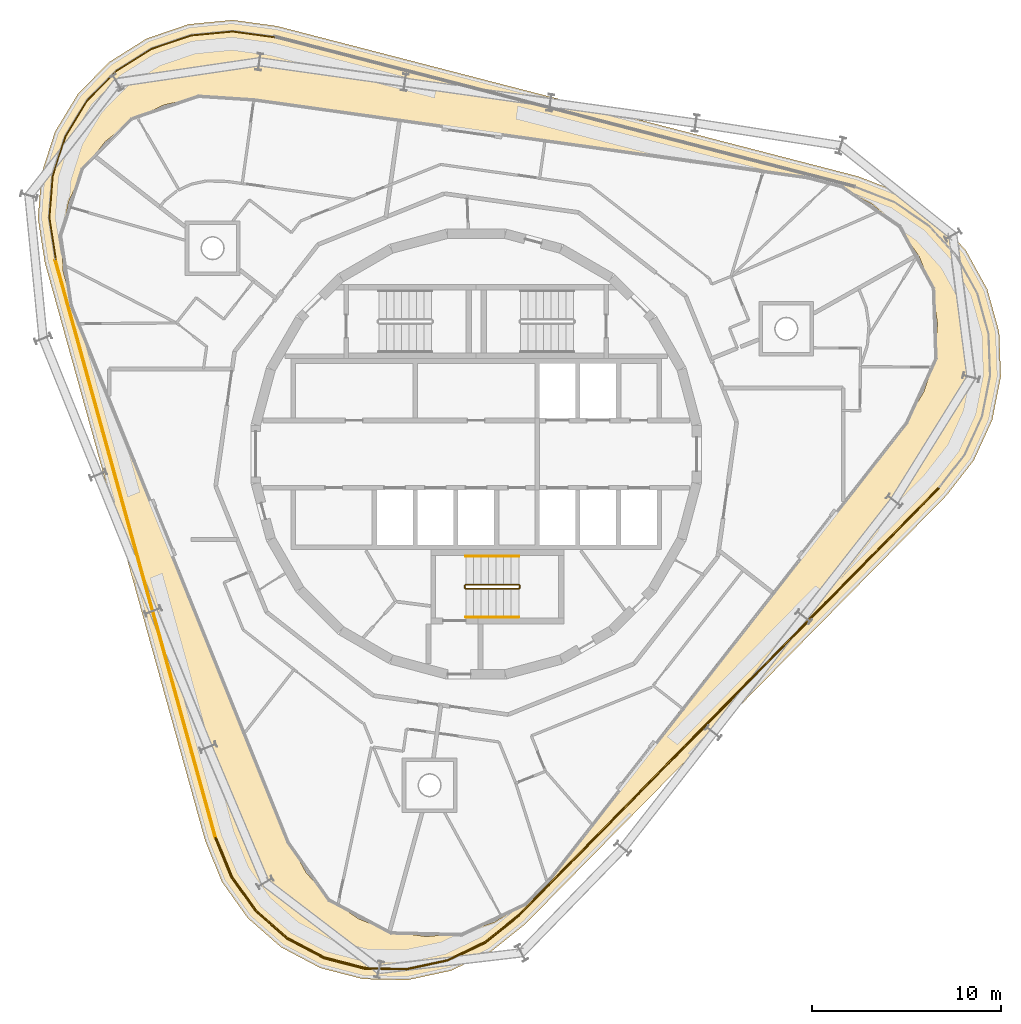
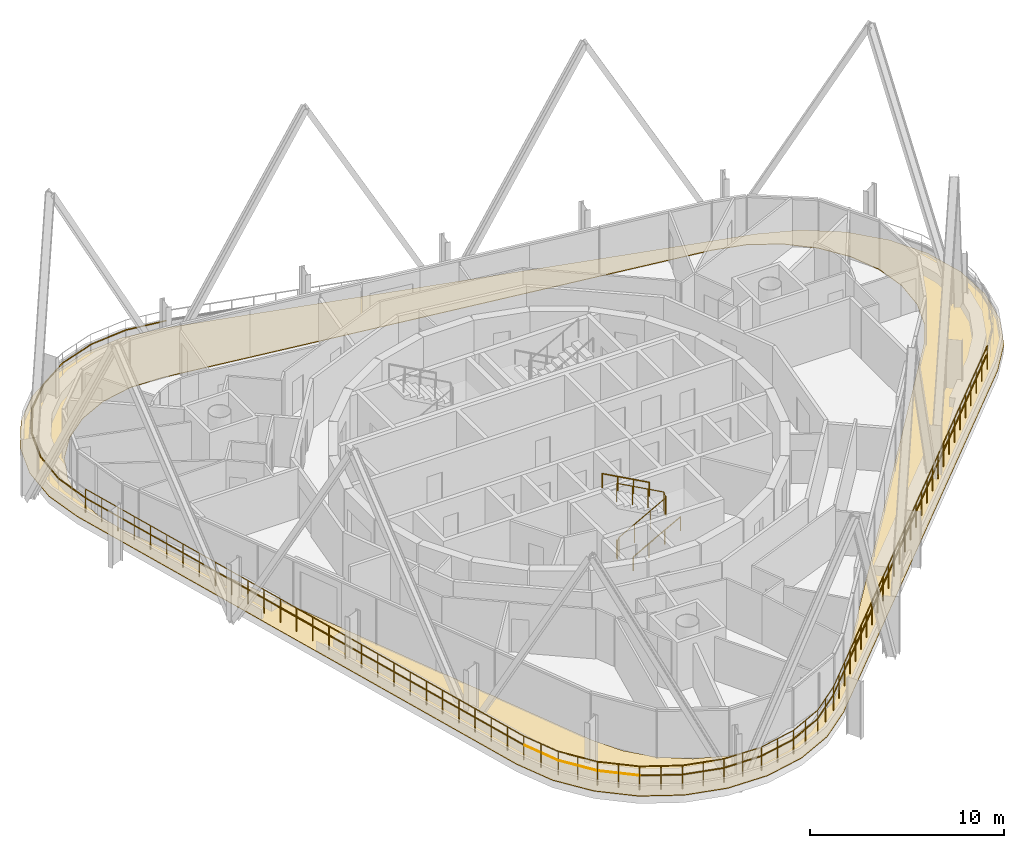
# One storey, part 15 of 17: 12 railings, 1 covering.
"""IFC4 building model written with IfcOpenShell, lengths in metres."""

from ifc_helpers import new_model, si_unit, direction, frame, origin, origin_2d, place, context, subcontext, project, spatial, polyline, circle, outline, extrude, material, layer, layer_set, type_object, element, save


model = new_model("IFC4")

# Units and contexts
model_context = context("Model", 3, precision=1e-05, world=origin(), true_north=direction((0.0, 1.0)))
body_context = subcontext(model_context, "Body", "Model", "MODEL_VIEW")
ifc_project = project(units=[si_unit("LENGTHUNIT", "METRE"), si_unit("AREAUNIT", "SQUARE_METRE"), si_unit("VOLUMEUNIT", "CUBIC_METRE"), si_unit("PLANEANGLEUNIT", "RADIAN"), si_unit("MASSUNIT", "GRAM", prefix="KILO")], contexts=[model_context])

# Site, building, storey
site_placement = place(None, origin())
site = spatial("IfcSite", under=ifc_project, at=site_placement, CompositionType="ELEMENT")
building_placement = place(site_placement, origin())
building = spatial("IfcBuilding", under=site, at=building_placement, Name="Spindle Arch Residences", CompositionType="ELEMENT")
storey_placement = place(building_placement, frame((0.0, 0.0, 333.0)))
storey = spatial("IfcBuildingStorey", under=building, at=storey_placement, Name="L85", CompositionType="ELEMENT", Elevation=333.0)

# Railings
ifc_material_1 = material(Name="Steel, painted", Category="steel")
railing_type_1 = type_object("IfcRailingType", Name="Stair guard 1100", PredefinedType="GUARDRAIL", material=ifc_material_1)
railing_1_placement = place(storey_placement, frame((-0.550048828125, -6.89990234375, 3.5)))
element("IfcRailing", 1, at=railing_1_placement, inside=storey, type_object=railing_type_1, Name="L85 ST3 stair guard 1", PredefinedType="GUARDRAIL", context=body_context, shape_type="SweptSolid", body=[
    extrude(circle(Radius=0.02392578125, at=origin_2d()), frame((0.0, 0.0, 1.17578125), z_axis=(0.877374661878, 0.0, -0.479805901063), x_axis=(0.0, 1.0, 0.0)), (0.0, 0.0, 1.0), 3.19140625),
    extrude(circle(Radius=0.02392578125, at=origin_2d()), frame((2.800048828125, 0.0, -0.35546875), z_axis=(0.217683172539, -0.217683172539, -0.951434744366), x_axis=(0.707106781187, 0.707106781187, 0.0)), (0.0, 0.0, 1.0), 0.22998046875),
    extrude(circle(Radius=0.02392578125, at=origin_2d()), frame((2.85009765625, -0.050048828125, -0.57421875), z_axis=(0.0, -1.0, 0.0), x_axis=(1.0, 0.0, 0.0)), (0.0, 0.0, 1.0), 0.1201171875),
    extrude(circle(Radius=0.02392578125, at=origin_2d()), frame((2.85009765625, -0.170166015625, -0.57421875), z_axis=(-0.707106781187, -0.707106781187, 0.0), x_axis=(0.707106781187, -0.707106781187, 0.0)), (0.0, 0.0, 1.0), 0.07080078125),
    extrude(circle(Radius=0.02392578125, at=origin_2d()), frame((2.800048828125, -0.22021484375, -0.57421875), z_axis=(-0.877374661878, 0.0, -0.479805901063), x_axis=(0.0, -1.0, 0.0)), (0.0, 0.0, 1.0), 3.19140625),
    extrude(circle(Radius=0.02392578125, at=origin_2d()), frame((0.0, -0.22021484375, -2.10546875), z_axis=(-0.217683172539, 0.217683172539, -0.951434744366), x_axis=(-0.707106781187, -0.707106781187, 0.0)), (0.0, 0.0, 1.0), 0.22998046875),
    extrude(circle(Radius=0.02392578125, at=origin_2d()), frame((-0.050048828125, -0.170166015625, -2.32421875), z_axis=(0.0, 1.0, 0.0), x_axis=(-1.0, 0.0, 0.0)), (0.0, 0.0, 1.0), 0.1201171875),
    extrude(circle(Radius=0.02099609375, at=origin_2d()), origin(), (0.0, 0.0, 1.0), 1.15185546875),
    extrude(circle(Radius=0.02099609375, at=origin_2d()), frame((0.933349609375, 0.0, -0.510498046875)), (0.0, 0.0, 1.0), 1.15185546875),
    extrude(circle(Radius=0.02099609375, at=origin_2d()), frame((1.86669921875, 0.0, -1.020751953125)), (0.0, 0.0, 1.0), 1.15185546875),
    extrude(circle(Radius=0.02099609375, at=origin_2d()), frame((2.800048828125, 0.0, -1.53125)), (0.0, 0.0, 1.0), 1.15185546875),
    extrude(circle(Radius=0.02099609375, at=origin_2d()), frame((2.85009765625, -0.050048828125, -1.75)), (0.0, 0.0, 1.0), 1.15185546875),
    extrude(circle(Radius=0.02099609375, at=origin_2d()), frame((2.85009765625, -0.170166015625, -1.75)), (0.0, 0.0, 1.0), 1.15185546875),
    extrude(circle(Radius=0.02099609375, at=origin_2d()), frame((2.800048828125, -0.22021484375, -1.75)), (0.0, 0.0, 1.0), 1.15185546875),
    extrude(circle(Radius=0.02099609375, at=origin_2d()), frame((1.86669921875, -0.22021484375, -2.260498046875)), (0.0, 0.0, 1.0), 1.15185546875),
    extrude(circle(Radius=0.02099609375, at=origin_2d()), frame((0.933349609375, -0.22021484375, -2.770751953125)), (0.0, 0.0, 1.0), 1.15185546875),
    extrude(circle(Radius=0.02099609375, at=origin_2d()), frame((0.0, -0.22021484375, -3.28125)), (0.0, 0.0, 1.0), 1.15185546875),
    extrude(circle(Radius=0.02099609375, at=origin_2d()), frame((-0.050048828125, -0.170166015625, -3.5)), (0.0, 0.0, 1.0), 1.15185546875),
    extrude(circle(Radius=0.02099609375, at=origin_2d()), frame((-0.050048828125, -0.050048828125, -3.5)), (0.0, 0.0, 1.0), 1.15185546875),
])
ifc_material_2 = material(Name="Steel, painted", Category="steel")
railing_type_2 = type_object("IfcRailingType", Name="Stair handrail 900", PredefinedType="HANDRAIL", material=ifc_material_2)
railing_2_placement = place(storey_placement, frame((-0.550048828125, -8.6201171875, 0.21875)))
element("IfcRailing", 2, at=railing_2_placement, inside=storey, type_object=railing_type_2, Name="L85 ST3 stair handrail 1", PredefinedType="HANDRAIL", context=body_context, shape_type="SweptSolid", body=[
    extrude(circle(Radius=0.02392578125, at=origin_2d()), frame((0.0, 0.0, 0.8759765625), z_axis=(0.877374661878, 0.0, 0.479805901063), x_axis=(0.0, 1.0, 0.0)), (0.0, 0.0, 1.0), 3.19140625),
    extrude(circle(Radius=0.02099609375, at=origin_2d()), origin(), (0.0, 0.0, 1.0), 0.851806640625),
    extrude(circle(Radius=0.02099609375, at=origin_2d()), frame((0.933349609375, 0.0, 0.510498046875)), (0.0, 0.0, 1.0), 0.851806640625),
    extrude(circle(Radius=0.02099609375, at=origin_2d()), frame((1.86669921875, 0.0, 1.020751953125)), (0.0, 0.0, 1.0), 0.851806640625),
    extrude(circle(Radius=0.02099609375, at=origin_2d()), frame((2.800048828125, 0.0, 1.53125)), (0.0, 0.0, 1.0), 0.851806640625),
])
railing_3_placement = place(storey_placement, frame((2.25, -5.39990234375, 1.96875)))
element("IfcRailing", 3, at=railing_3_placement, inside=storey, type_object=railing_type_2, Name="L85 ST3 stair handrail 2", PredefinedType="HANDRAIL", context=body_context, shape_type="SweptSolid", body=[
    extrude(circle(Radius=0.02392578125, at=origin_2d()), frame((0.0, 0.0, 0.8759765625), z_axis=(-0.877374661878, 0.0, 0.479805901063), x_axis=(0.0, -1.0, 0.0)), (0.0, 0.0, 1.0), 3.19140625),
    extrude(circle(Radius=0.02099609375, at=origin_2d()), origin(), (0.0, 0.0, 1.0), 0.851806640625),
    extrude(circle(Radius=0.02099609375, at=origin_2d()), frame((-0.933349609375, 0.0, 0.510498046875)), (0.0, 0.0, 1.0), 0.851806640625),
    extrude(circle(Radius=0.02099609375, at=origin_2d()), frame((-1.86669921875, 0.0, 1.020751953125)), (0.0, 0.0, 1.0), 0.851806640625),
    extrude(circle(Radius=0.02099609375, at=origin_2d()), frame((-2.800048828125, 0.0, 1.53125)), (0.0, 0.0, 1.0), 0.851806640625),
])
ifc_material_3 = material(Name="Bronze anodised aluminium guard with glass infill", Category="aluminium")
railing_type_3 = type_object("IfcRailingType", Name="Terrace guard 1500", PredefinedType="GUARDRAIL", material=ifc_material_3)
railing_4_placement = place(storey_placement, frame((13.34814453125, -13.1171875, 0.030029296875)))
element("IfcRailing", 4, at=railing_4_placement, inside=storey, type_object=railing_type_3, Name="Terrace guard L84 1", PredefinedType="GUARDRAIL", context=body_context, shape_type="SweptSolid", body=[
    extrude(circle(Radius=0.02392578125, at=origin_2d()), frame((0.0, 0.0, 1.47607421875), z_axis=(-0.700907601917, -0.713252082769, 0.0), x_axis=(0.713252082769, -0.700907601917, 0.0)), (0.0, 0.0, 1.0), 15.841552734375),
    extrude(circle(Radius=0.02392578125, at=origin_2d()), frame((-11.103515625, -11.299072265625, 1.47607421875), z_axis=(-0.778958653832, -0.627075287043, 0.0), x_axis=(0.627075287043, -0.778958653832, 0.0)), (0.0, 0.0, 1.0), 2.248779296875),
    extrude(circle(Radius=0.02392578125, at=origin_2d()), frame((-12.855224609375, -12.709228515625, 1.47607421875), z_axis=(-0.902599730414, -0.430480808697, 0.0), x_axis=(0.430480808697, -0.902599730414, 0.0)), (0.0, 0.0, 1.0), 2.21630859375),
    extrude(circle(Radius=0.02392578125, at=origin_2d()), frame((-14.855712890625, -13.663330078125, 1.47607421875), z_axis=(-0.977525939997, -0.210815171736, 0.0), x_axis=(0.210815171736, -0.977525939997, 0.0)), (0.0, 0.0, 1.0), 2.216552734375),
    extrude(circle(Radius=0.02392578125, at=origin_2d()), frame((-17.0224609375, -14.130615234375, 1.47607421875), z_axis=(-0.99979236837, 0.020376951432, 0.0), x_axis=(-0.020376951432, -0.99979236837, 0.0)), (0.0, 0.0, 1.0), 2.216552734375),
    extrude(circle(Radius=0.02392578125, at=origin_2d()), frame((-19.238525390625, -14.08544921875, 1.47607421875), z_axis=(-0.968154276544, 0.250354342501, 0.0), x_axis=(-0.250354342501, -0.968154276544, 0.0)), (0.0, 0.0, 1.0), 2.216552734375),
    extrude(circle(Radius=0.02392578125, at=origin_2d()), frame((-21.384521484375, -13.530517578125, 1.47607421875), z_axis=(-0.884293796511, 0.466930917216, 0.0), x_axis=(-0.466930917216, -0.884293796511, 0.0)), (0.0, 0.0, 1.0), 2.21630859375),
    extrude(circle(Radius=0.02099609375, at=origin_2d()), origin(), (0.0, 0.0, 1.0), 1.451904296875),
    extrude(circle(Radius=0.02099609375, at=origin_2d()), frame((-0.793212890625, -0.80712890625, 0.0)), (0.0, 0.0, 1.0), 1.451904296875),
    extrude(circle(Radius=0.02099609375, at=origin_2d()), frame((-1.586181640625, -1.6142578125, 0.0)), (0.0, 0.0, 1.0), 1.451904296875),
    extrude(circle(Radius=0.02099609375, at=origin_2d()), frame((-2.37939453125, -2.421142578125, 0.0)), (0.0, 0.0, 1.0), 1.451904296875),
    extrude(circle(Radius=0.02099609375, at=origin_2d()), frame((-3.17236328125, -3.228271484375, 0.0)), (0.0, 0.0, 1.0), 1.451904296875),
    extrude(circle(Radius=0.02099609375, at=origin_2d()), frame((-3.965576171875, -4.035400390625, 0.0)), (0.0, 0.0, 1.0), 1.451904296875),
    extrude(circle(Radius=0.02099609375, at=origin_2d()), frame((-4.758544921875, -4.842529296875, 0.0)), (0.0, 0.0, 1.0), 1.451904296875),
    extrude(circle(Radius=0.02099609375, at=origin_2d()), frame((-5.5517578125, -5.6494140625, 0.0)), (0.0, 0.0, 1.0), 1.451904296875),
    extrude(circle(Radius=0.02099609375, at=origin_2d()), frame((-6.344970703125, -6.45654296875, 0.0)), (0.0, 0.0, 1.0), 1.451904296875),
    extrude(circle(Radius=0.02099609375, at=origin_2d()), frame((-7.137939453125, -7.263671875, 0.0)), (0.0, 0.0, 1.0), 1.451904296875),
    extrude(circle(Radius=0.02099609375, at=origin_2d()), frame((-7.93115234375, -8.07080078125, 0.0)), (0.0, 0.0, 1.0), 1.451904296875),
    extrude(circle(Radius=0.02099609375, at=origin_2d()), frame((-8.72412109375, -8.8779296875, 0.0)), (0.0, 0.0, 1.0), 1.451904296875),
    extrude(circle(Radius=0.02099609375, at=origin_2d()), frame((-9.517333984375, -9.684814453125, 0.0)), (0.0, 0.0, 1.0), 1.451904296875),
    extrude(circle(Radius=0.02099609375, at=origin_2d()), frame((-10.310302734375, -10.491943359375, 0.0)), (0.0, 0.0, 1.0), 1.451904296875),
    extrude(circle(Radius=0.02099609375, at=origin_2d()), frame((-11.103515625, -11.299072265625, 0.0)), (0.0, 0.0, 1.0), 1.451904296875),
    extrude(circle(Radius=0.02099609375, at=origin_2d()), frame((-11.9794921875, -12.004150390625, 0.0)), (0.0, 0.0, 1.0), 1.451904296875),
    extrude(circle(Radius=0.02099609375, at=origin_2d()), frame((-12.855224609375, -12.709228515625, 0.0)), (0.0, 0.0, 1.0), 1.451904296875),
    extrude(circle(Radius=0.02099609375, at=origin_2d()), frame((-13.85546875, -13.186279296875, 0.0)), (0.0, 0.0, 1.0), 1.451904296875),
    extrude(circle(Radius=0.02099609375, at=origin_2d()), frame((-14.855712890625, -13.663330078125, 0.0)), (0.0, 0.0, 1.0), 1.451904296875),
    extrude(circle(Radius=0.02099609375, at=origin_2d()), frame((-15.93896484375, -13.89697265625, 0.0)), (0.0, 0.0, 1.0), 1.451904296875),
    extrude(circle(Radius=0.02099609375, at=origin_2d()), frame((-17.0224609375, -14.130615234375, 0.0)), (0.0, 0.0, 1.0), 1.451904296875),
    extrude(circle(Radius=0.02099609375, at=origin_2d()), frame((-18.13037109375, -14.10791015625, 0.0)), (0.0, 0.0, 1.0), 1.451904296875),
    extrude(circle(Radius=0.02099609375, at=origin_2d()), frame((-19.238525390625, -14.08544921875, 0.0)), (0.0, 0.0, 1.0), 1.451904296875),
    extrude(circle(Radius=0.02099609375, at=origin_2d()), frame((-20.3115234375, -13.80810546875, 0.0)), (0.0, 0.0, 1.0), 1.451904296875),
    extrude(circle(Radius=0.02099609375, at=origin_2d()), frame((-21.384521484375, -13.530517578125, 0.0)), (0.0, 0.0, 1.0), 1.451904296875),
    extrude(circle(Radius=0.02099609375, at=origin_2d()), frame((-22.364501953125, -13.01318359375, 0.0)), (0.0, 0.0, 1.0), 1.451904296875),
    extrude(circle(Radius=0.02099609375, at=origin_2d()), frame((-23.344482421875, -12.49560546875, 0.0)), (0.0, 0.0, 1.0), 1.451904296875),
])
railing_5_placement = place(storey_placement, frame((-9.996337890625, -25.61279296875, 0.030029296875)))
element("IfcRailing", 5, at=railing_5_placement, inside=storey, type_object=railing_type_3, Name="Terrace guard L84 2", PredefinedType="GUARDRAIL", context=body_context, shape_type="SweptSolid", body=[
    extrude(circle(Radius=0.02392578125, at=origin_2d()), frame((0.0, 0.0, 1.47607421875), z_axis=(-0.752781366306, 0.658270624092, 0.0), x_axis=(-0.658270624092, -0.752781366306, 0.0)), (0.0, 0.0, 1.0), 2.21630859375),
    extrude(circle(Radius=0.02392578125, at=origin_2d()), frame((-1.66845703125, 1.458984375, 1.47607421875), z_axis=(-0.58072760127, 0.814097938287, 0.0), x_axis=(-0.814097938287, -0.58072760127, 0.0)), (0.0, 0.0, 1.0), 2.216796875),
    extrude(circle(Radius=0.02392578125, at=origin_2d()), frame((-2.955810546875, 3.263671875, 1.47607421875), z_axis=(-0.377279643828, 0.926099384706, 0.0), x_axis=(-0.926099384706, -0.377279643828, 0.0)), (0.0, 0.0, 1.0), 2.248779296875),
    extrude(circle(Radius=0.02099609375, at=origin_2d()), origin(), (0.0, 0.0, 1.0), 1.451904296875),
    extrude(circle(Radius=0.02099609375, at=origin_2d()), frame((-0.834228515625, 0.7294921875, 0.0)), (0.0, 0.0, 1.0), 1.451904296875),
    extrude(circle(Radius=0.02099609375, at=origin_2d()), frame((-1.66845703125, 1.458984375, 0.0)), (0.0, 0.0, 1.0), 1.451904296875),
    extrude(circle(Radius=0.02099609375, at=origin_2d()), frame((-2.31201171875, 2.361328125, 0.0)), (0.0, 0.0, 1.0), 1.451904296875),
    extrude(circle(Radius=0.02099609375, at=origin_2d()), frame((-2.955810546875, 3.263671875, 0.0)), (0.0, 0.0, 1.0), 1.451904296875),
    extrude(circle(Radius=0.02099609375, at=origin_2d()), frame((-3.3798828125, 4.304931640625, 0.0)), (0.0, 0.0, 1.0), 1.451904296875),
    extrude(circle(Radius=0.02099609375, at=origin_2d()), frame((-3.80419921875, 5.34619140625, 0.0)), (0.0, 0.0, 1.0), 1.451904296875),
])
railing_6_placement = place(storey_placement, frame((-13.800537109375, -20.2666015625, 0.030029296875)))
element("IfcRailing", 6, at=railing_6_placement, inside=storey, type_object=railing_type_3, Name="Terrace guard L84 3", PredefinedType="GUARDRAIL", context=body_context, shape_type="SweptSolid", body=[
    extrude(circle(Radius=0.02392578125, at=origin_2d()), frame((0.0, 0.0, 1.47607421875), z_axis=(-0.267234486876, 0.963631531771, 0.0), x_axis=(-0.963631531771, -0.267234486876, 0.0)), (0.0, 0.0, 1.0), 31.68310546875),
    extrude(circle(Radius=0.02099609375, at=origin_2d()), origin(), (0.0, 0.0, 1.0), 1.451904296875),
    extrude(circle(Radius=0.02099609375, at=origin_2d()), frame((-0.3134765625, 1.130859375, 0.0)), (0.0, 0.0, 1.0), 1.451904296875),
    extrude(circle(Radius=0.02099609375, at=origin_2d()), frame((-0.627197265625, 2.261474609375, 0.0)), (0.0, 0.0, 1.0), 1.451904296875),
    extrude(circle(Radius=0.02099609375, at=origin_2d()), frame((-0.940673828125, 3.392333984375, 0.0)), (0.0, 0.0, 1.0), 1.451904296875),
    extrude(circle(Radius=0.02099609375, at=origin_2d()), frame((-1.25439453125, 4.523193359375, 0.0)), (0.0, 0.0, 1.0), 1.451904296875),
    extrude(circle(Radius=0.02099609375, at=origin_2d()), frame((-1.56787109375, 5.65380859375, 0.0)), (0.0, 0.0, 1.0), 1.451904296875),
    extrude(circle(Radius=0.02099609375, at=origin_2d()), frame((-1.881591796875, 6.78466796875, 0.0)), (0.0, 0.0, 1.0), 1.451904296875),
    extrude(circle(Radius=0.02099609375, at=origin_2d()), frame((-2.195068359375, 7.915283203125, 0.0)), (0.0, 0.0, 1.0), 1.451904296875),
    extrude(circle(Radius=0.02099609375, at=origin_2d()), frame((-2.5087890625, 9.046142578125, 0.0)), (0.0, 0.0, 1.0), 1.451904296875),
    extrude(circle(Radius=0.02099609375, at=origin_2d()), frame((-2.822265625, 10.177001953125, 0.0)), (0.0, 0.0, 1.0), 1.451904296875),
    extrude(circle(Radius=0.02099609375, at=origin_2d()), frame((-3.1357421875, 11.3076171875, 0.0)), (0.0, 0.0, 1.0), 1.451904296875),
    extrude(circle(Radius=0.02099609375, at=origin_2d()), frame((-3.449462890625, 12.4384765625, 0.0)), (0.0, 0.0, 1.0), 1.451904296875),
    extrude(circle(Radius=0.02099609375, at=origin_2d()), frame((-3.762939453125, 13.5693359375, 0.0)), (0.0, 0.0, 1.0), 1.451904296875),
    extrude(circle(Radius=0.02099609375, at=origin_2d()), frame((-4.07666015625, 14.699951171875, 0.0)), (0.0, 0.0, 1.0), 1.451904296875),
    extrude(circle(Radius=0.02099609375, at=origin_2d()), frame((-4.39013671875, 15.830810546875, 0.0)), (0.0, 0.0, 1.0), 1.451904296875),
    extrude(circle(Radius=0.02099609375, at=origin_2d()), frame((-4.703857421875, 16.96142578125, 0.0)), (0.0, 0.0, 1.0), 1.451904296875),
    extrude(circle(Radius=0.02099609375, at=origin_2d()), frame((-5.017333984375, 18.09228515625, 0.0)), (0.0, 0.0, 1.0), 1.451904296875),
    extrude(circle(Radius=0.02099609375, at=origin_2d()), frame((-5.3310546875, 19.22314453125, 0.0)), (0.0, 0.0, 1.0), 1.451904296875),
    extrude(circle(Radius=0.02099609375, at=origin_2d()), frame((-5.64453125, 20.353759765625, 0.0)), (0.0, 0.0, 1.0), 1.451904296875),
    extrude(circle(Radius=0.02099609375, at=origin_2d()), frame((-5.9580078125, 21.484619140625, 0.0)), (0.0, 0.0, 1.0), 1.451904296875),
    extrude(circle(Radius=0.02099609375, at=origin_2d()), frame((-6.271728515625, 22.615478515625, 0.0)), (0.0, 0.0, 1.0), 1.451904296875),
    extrude(circle(Radius=0.02099609375, at=origin_2d()), frame((-6.585205078125, 23.74609375, 0.0)), (0.0, 0.0, 1.0), 1.451904296875),
    extrude(circle(Radius=0.02099609375, at=origin_2d()), frame((-6.89892578125, 24.876953125, 0.0)), (0.0, 0.0, 1.0), 1.451904296875),
    extrude(circle(Radius=0.02099609375, at=origin_2d()), frame((-7.21240234375, 26.007568359375, 0.0)), (0.0, 0.0, 1.0), 1.451904296875),
    extrude(circle(Radius=0.02099609375, at=origin_2d()), frame((-7.526123046875, 27.138427734375, 0.0)), (0.0, 0.0, 1.0), 1.451904296875),
    extrude(circle(Radius=0.02099609375, at=origin_2d()), frame((-7.839599609375, 28.269287109375, 0.0)), (0.0, 0.0, 1.0), 1.451904296875),
    extrude(circle(Radius=0.02099609375, at=origin_2d()), frame((-8.1533203125, 29.39990234375, 0.0)), (0.0, 0.0, 1.0), 1.451904296875),
    extrude(circle(Radius=0.02099609375, at=origin_2d()), frame((-8.466796875, 30.53076171875, 0.0)), (0.0, 0.0, 1.0), 1.451904296875),
])
railing_7_placement = place(storey_placement, frame((24.45166015625, -1.818359375, 0.030029296875)))
element("IfcRailing", 7, at=railing_7_placement, inside=storey, type_object=railing_type_3, Name="Terrace guard L84 7", PredefinedType="GUARDRAIL", context=body_context, shape_type="SweptSolid", body=[
    extrude(circle(Radius=0.02392578125, at=origin_2d()), frame((0.0, 0.0, 1.47607421875), z_axis=(-0.700915306455, -0.713244511494, 0.0), x_axis=(0.713244511494, -0.700915306455, 0.0)), (0.0, 0.0, 1.0), 15.841552734375),
    extrude(circle(Radius=0.02099609375, at=origin_2d()), origin(), (0.0, 0.0, 1.0), 1.451904296875),
    extrude(circle(Radius=0.02099609375, at=origin_2d()), frame((-0.793212890625, -0.80712890625, 0.0)), (0.0, 0.0, 1.0), 1.451904296875),
    extrude(circle(Radius=0.02099609375, at=origin_2d()), frame((-1.586181640625, -1.614013671875, 0.0)), (0.0, 0.0, 1.0), 1.451904296875),
    extrude(circle(Radius=0.02099609375, at=origin_2d()), frame((-2.37939453125, -2.421142578125, 0.0)), (0.0, 0.0, 1.0), 1.451904296875),
    extrude(circle(Radius=0.02099609375, at=origin_2d()), frame((-3.17236328125, -3.228271484375, 0.0)), (0.0, 0.0, 1.0), 1.451904296875),
    extrude(circle(Radius=0.02099609375, at=origin_2d()), frame((-3.965576171875, -4.035400390625, 0.0)), (0.0, 0.0, 1.0), 1.451904296875),
    extrude(circle(Radius=0.02099609375, at=origin_2d()), frame((-4.758544921875, -4.84228515625, 0.0)), (0.0, 0.0, 1.0), 1.451904296875),
    extrude(circle(Radius=0.02099609375, at=origin_2d()), frame((-5.5517578125, -5.6494140625, 0.0)), (0.0, 0.0, 1.0), 1.451904296875),
    extrude(circle(Radius=0.02099609375, at=origin_2d()), frame((-6.344970703125, -6.45654296875, 0.0)), (0.0, 0.0, 1.0), 1.451904296875),
    extrude(circle(Radius=0.02099609375, at=origin_2d()), frame((-7.137939453125, -7.263427734375, 0.0)), (0.0, 0.0, 1.0), 1.451904296875),
    extrude(circle(Radius=0.02099609375, at=origin_2d()), frame((-7.93115234375, -8.070556640625, 0.0)), (0.0, 0.0, 1.0), 1.451904296875),
    extrude(circle(Radius=0.02099609375, at=origin_2d()), frame((-8.72412109375, -8.877685546875, 0.0)), (0.0, 0.0, 1.0), 1.451904296875),
    extrude(circle(Radius=0.02099609375, at=origin_2d()), frame((-9.517333984375, -9.684814453125, 0.0)), (0.0, 0.0, 1.0), 1.451904296875),
    extrude(circle(Radius=0.02099609375, at=origin_2d()), frame((-10.310302734375, -10.49169921875, 0.0)), (0.0, 0.0, 1.0), 1.451904296875),
    extrude(circle(Radius=0.02099609375, at=origin_2d()), frame((-11.103515625, -11.298828125, 0.0)), (0.0, 0.0, 1.0), 1.451904296875),
])
ifc_material_4 = material(Name="Bronze anodised aluminium handrail", Category="aluminium")
railing_type_4 = type_object("IfcRailingType", Name="Terrace handrail 900", PredefinedType="HANDRAIL", material=ifc_material_4)
railing_8_placement = place(storey_placement, frame((13.318359375, -13.087890625, 0.030029296875)))
element("IfcRailing", 8, at=railing_8_placement, inside=storey, type_object=railing_type_4, Name="Terrace handrail L84 1", PredefinedType="HANDRAIL", context=body_context, shape_type="SweptSolid", body=[
    extrude(circle(Radius=0.02392578125, at=origin_2d()), frame((0.0, 0.0, 0.8759765625), z_axis=(-0.700914357637, -0.71324544391, 0.0), x_axis=(0.71324544391, -0.700914357637, 0.0)), (0.0, 0.0, 1.0), 15.839111328125),
    extrude(circle(Radius=0.02392578125, at=origin_2d()), frame((-11.101806640625, -11.297119140625, 0.8759765625), z_axis=(-0.778984435266, -0.627043259763, 0.0), x_axis=(0.627043259763, -0.778984435266, 0.0)), (0.0, 0.0, 1.0), 2.241455078125),
    extrude(circle(Radius=0.02392578125, at=origin_2d()), frame((-12.847900390625, -12.70263671875, 0.8759765625), z_axis=(-0.902592437795, -0.430496098978, 0.0), x_axis=(0.430496098978, -0.902592437795, 0.0)), (0.0, 0.0, 1.0), 2.20654296875),
    extrude(circle(Radius=0.02392578125, at=origin_2d()), frame((-14.839599609375, -13.652587890625, 0.8759765625), z_axis=(-0.977539370578, -0.210752886029, 0.0), x_axis=(0.210752886029, -0.977539370578, 0.0)), (0.0, 0.0, 1.0), 2.206787109375),
    extrude(circle(Radius=0.02392578125, at=origin_2d()), frame((-16.996826171875, -14.11767578125, 0.8759765625), z_axis=(-0.999792738722, 0.020358772015, 0.0), x_axis=(-0.020358772015, -0.999792738722, 0.0)), (0.0, 0.0, 1.0), 2.20654296875),
    extrude(circle(Radius=0.02392578125, at=origin_2d()), frame((-19.202880859375, -14.07275390625, 0.8759765625), z_axis=(-0.968151997646, 0.250363155145, 0.0), x_axis=(-0.250363155145, -0.968151997646, 0.0)), (0.0, 0.0, 1.0), 2.206787109375),
    extrude(circle(Radius=0.02392578125, at=origin_2d()), frame((-21.33935546875, -13.520263671875, 0.8759765625), z_axis=(-0.884317507129, 0.466886010269, 0.0), x_axis=(-0.466886010269, -0.884317507129, 0.0)), (0.0, 0.0, 1.0), 2.206787109375),
])
railing_9_placement = place(storey_placement, frame((-9.972412109375, -25.577880859375, 0.030029296875)))
element("IfcRailing", 9, at=railing_9_placement, inside=storey, type_object=railing_type_4, Name="Terrace handrail L84 2", PredefinedType="HANDRAIL", context=body_context, shape_type="SweptSolid", body=[
    extrude(circle(Radius=0.02392578125, at=origin_2d()), frame((0.0, 0.0, 0.8759765625), z_axis=(-0.752768562672, 0.658285265711, 0.0), x_axis=(-0.658285265711, -0.752768562672, 0.0)), (0.0, 0.0, 1.0), 2.206787109375),
    extrude(circle(Radius=0.02392578125, at=origin_2d()), frame((-1.6611328125, 1.45263671875, 0.8759765625), z_axis=(-0.580746190748, 0.814084677372, 0.0), x_axis=(-0.814084677372, -0.580746190748, 0.0)), (0.0, 0.0, 1.0), 2.20654296875),
    extrude(circle(Radius=0.02392578125, at=origin_2d()), frame((-2.942626953125, 3.2490234375, 0.8759765625), z_axis=(-0.377317647122, 0.926083901799, 0.0), x_axis=(-0.926083901799, -0.377317647122, 0.0)), (0.0, 0.0, 1.0), 2.241455078125),
])
railing_10_placement = place(storey_placement, frame((-13.7607421875, -20.253173828125, 0.030029296875)))
element("IfcRailing", 10, at=railing_10_placement, inside=storey, type_object=railing_type_4, Name="Terrace handrail L84 3", PredefinedType="HANDRAIL", context=body_context, shape_type="SweptSolid", body=[
    extrude(circle(Radius=0.02392578125, at=origin_2d()), frame((0.0, 0.0, 0.8759765625), z_axis=(-0.267236412576, 0.963630997734, 0.0), x_axis=(-0.963630997734, -0.267236412576, 0.0)), (0.0, 0.0, 1.0), 31.67822265625),
])
railing_11_placement = place(storey_placement, frame((-22.226318359375, 10.27294921875, 0.030029296875)))
element("IfcRailing", 11, at=railing_11_placement, inside=storey, type_object=railing_type_4, Name="Terrace handrail L84 4", PredefinedType="HANDRAIL", context=body_context, shape_type="SweptSolid", body=[
    extrude(circle(Radius=0.02392578125, at=origin_2d()), frame((0.0, 0.0, 0.8759765625), z_axis=(-0.153579387175, 0.988136312375, 0.0), x_axis=(-0.988136312375, -0.153579387175, 0.0)), (0.0, 0.0, 1.0), 2.241455078125),
    extrude(circle(Radius=0.02392578125, at=origin_2d()), frame((-0.34423828125, 2.21484375, 0.8759765625), z_axis=(0.078439185491, 0.996918900503, 0.0), x_axis=(-0.996918900503, 0.078439185491, 0.0)), (0.0, 0.0, 1.0), 2.206787109375),
    extrude(circle(Radius=0.02392578125, at=origin_2d()), frame((-0.171142578125, 4.414794921875, 0.8759765625), z_axis=(0.306252707252, 0.951950250434, 0.0), x_axis=(-0.951950250434, 0.306252707252, 0.0)), (0.0, 0.0, 1.0), 2.20654296875),
    extrude(circle(Radius=0.02392578125, at=origin_2d()), frame((0.504638671875, 6.515380859375, 0.8759765625), z_axis=(0.517551218623, 0.85565222848, 0.0), x_axis=(-0.85565222848, 0.517551218623, 0.0)), (0.0, 0.0, 1.0), 2.206787109375),
    extrude(circle(Radius=0.02392578125, at=origin_2d()), frame((1.646728515625, 8.403564453125, 0.8759765625), z_axis=(0.700883978051, 0.713275297, 0.0), x_axis=(-0.713275297, 0.700883978051, 0.0)), (0.0, 0.0, 1.0), 2.206787109375),
    extrude(circle(Radius=0.02392578125, at=origin_2d()), frame((3.193359375, 9.9775390625, 0.8759765625), z_axis=(0.846528298444, 0.532343723485, 0.0), x_axis=(-0.532343723485, 0.846528298444, 0.0)), (0.0, 0.0, 1.0), 2.206787109375),
    extrude(circle(Radius=0.02392578125, at=origin_2d()), frame((5.0615234375, 11.15234375, 0.8759765625), z_axis=(0.946447193802, 0.322858652269, 0.0), x_axis=(-0.322858652269, 0.946447193802, 0.0)), (0.0, 0.0, 1.0), 2.20654296875),
    extrude(circle(Radius=0.02392578125, at=origin_2d()), frame((7.14990234375, 11.86474609375, 0.8759765625), z_axis=(0.995399496997, 0.095811488763, 0.0), x_axis=(-0.095811488763, 0.995399496997, 0.0)), (0.0, 0.0, 1.0), 2.206787109375),
    extrude(circle(Radius=0.02392578125, at=origin_2d()), frame((9.346435546875, 12.076171875, 0.8759765625), z_axis=(0.99067240781, -0.136265110739, 0.0), x_axis=(0.136265110739, 0.99067240781, 0.0)), (0.0, 0.0, 1.0), 2.241455078125),
])
railing_12_placement = place(storey_placement, frame((24.419921875, -1.79052734375, 0.030029296875)))
element("IfcRailing", 12, at=railing_12_placement, inside=storey, type_object=railing_type_4, Name="Terrace handrail L84 7", PredefinedType="HANDRAIL", context=body_context, shape_type="SweptSolid", body=[
    extrude(circle(Radius=0.02392578125, at=origin_2d()), frame((0.0, 0.0, 0.8759765625), z_axis=(-0.700898810393, -0.713260722029, 0.0), x_axis=(0.713260722029, -0.700898810393, 0.0)), (0.0, 0.0, 1.0), 15.839111328125),
])

# Covering
ifc_material_5 = material(Name="Non-combustible mineral wool, bituminous membrane and concrete pavers", Category="concrete")
ifc_layer = layer(ifc_material_5, 0.030029296875)
ifc_layer_set = layer_set([ifc_layer], Name="Terrace roofing membrane and pavers")
covering_type = type_object("IfcCoveringType", Name="Terrace roofing membrane and pavers", PredefinedType="ROOFING", material=ifc_layer_set)
covering_placement = place(storey_placement, origin())
element("IfcCovering", 13, at=covering_placement, inside=storey, type_object=covering_type, Name="Terrace roofing L84 1", PredefinedType="ROOFING", context=body_context, shape_type="SweptSolid", body=[
    extrude(outline(polyline([(2.614501953125, -24.82470703125), (0.787841796875, -26.295166015625), (-1.328857421875, -27.3046875), (-3.621337890625, -27.798828125), (-5.9658203125, -27.751220703125), (-8.236328125, -27.1640625), (-10.31005859375, -26.069091796875), (-12.075439453125, -24.525390625), (-13.437255859375, -22.6162109375), (-14.322021484375, -20.444580078125), (-22.805908203125, 10.14794921875), (-23.166015625, 12.46533203125), (-22.982177734375, 14.80322265625), (-22.263916015625, 17.03564453125), (-21.05029296875, 19.042236328125), (-19.40673828125, 20.71484375), (-17.42138671875, 21.963134765625), (-15.201904296875, 22.72021484375), (-12.86767578125, 22.945068359375), (-10.54443359375, 22.62548828125), (20.19140625, 14.676513671875), (22.37841796875, 13.829833984375), (24.31103515625, 12.50146484375), (25.88525390625, 10.763427734375), (27.01611328125, 8.708984375), (27.642822265625, 6.44921875), (27.7314453125, 4.10595703125), (27.27734375, 1.80517578125), (26.304931640625, -0.328857421875), (24.866455078125, -2.180908203125), (13.740478515625, -13.502685546875), (2.614501953125, -24.82470703125)]), holes=[polyline([(22.69384765625, 1.696533203125), (23.65966796875, 3.283203125), (24.233642578125, 5.0498046875), (24.384765625, 6.901123046875), (24.10498046875, 8.7373046875), (23.4091796875, 10.45947265625), (22.3349609375, 11.974853515625), (20.940185546875, 13.20166015625), (19.300048828125, 14.07373046875), (17.503173828125, 14.5439453125), (-12.816162109375, 18.80517578125), (-14.673095703125, 18.848388671875), (-16.489990234375, 18.462158203125), (-18.1689453125, 17.667236328125), (-19.619140625, 16.5068359375), (-20.7626953125, 15.04296875), (-21.5380859375, 13.35498046875), (-21.903076171875, 11.533935546875), (-21.838134765625, 9.677490234375), (-21.346923828125, 7.885986328125), (-9.877685546875, -20.501708984375), (-8.986572265625, -22.131591796875), (-7.74365234375, -23.511962890625), (-6.2158203125, -24.568359375), (-4.485595703125, -25.244140625), (-2.646240234375, -25.502685546875), (-0.796875, -25.330078125), (0.962890625, -24.735595703125), (2.5380859375, -23.751220703125), (3.843994140625, -22.43017578125), (13.268798828125, -10.36669921875), (22.69384765625, 1.696533203125)])]), origin(), (0.0, 0.0, 1.0), 0.030029296875),
])

save(model, "model.ifc")
